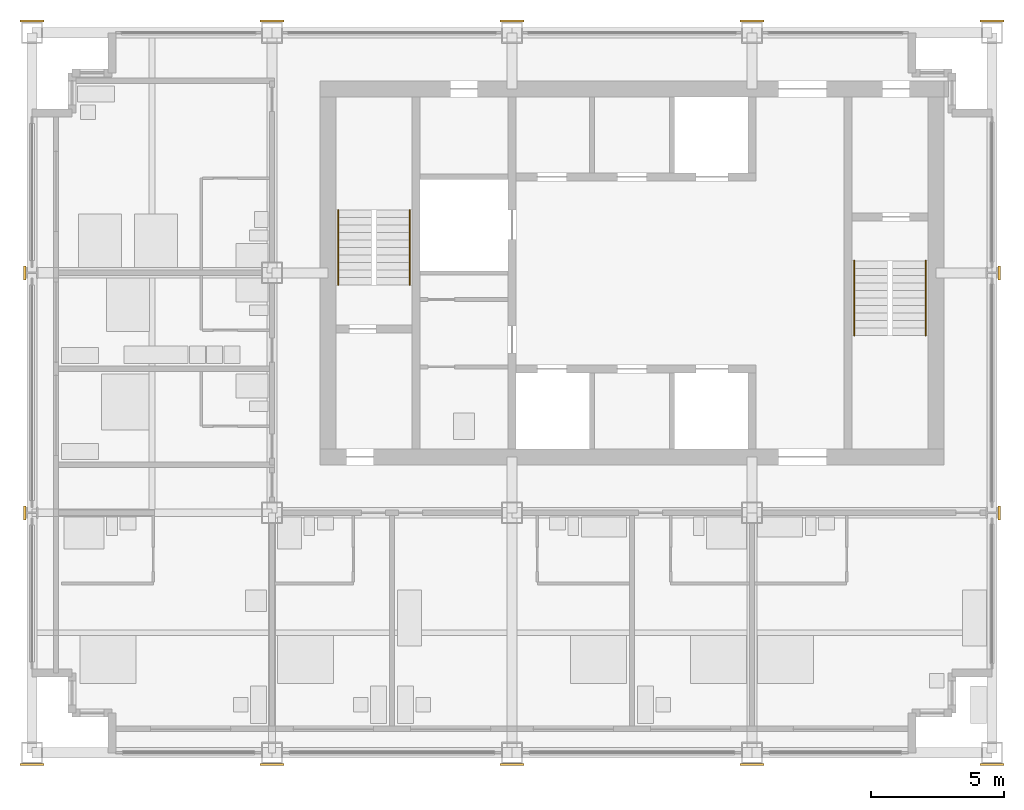
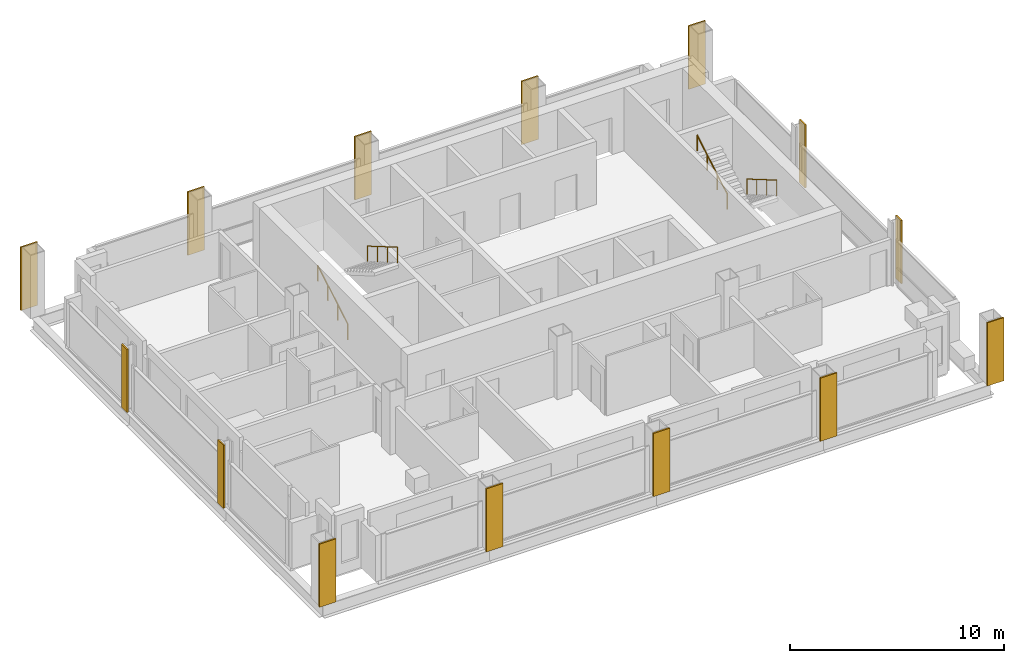
# One storey, part 10 of 12: 14 coverings, 4 railings.
"""IFC4 building model written with IfcOpenShell, lengths in metres."""

from ifc_helpers import new_model, si_unit, direction, frame, origin, origin_2d, place, context, subcontext, project, spatial, rectangle, circle, extrude, material, layer, layer_set, type_object, element, save


model = new_model("IFC4")

# Units and contexts
model_context = context("Model", 3, precision=1e-05, world=origin(), true_north=direction((0.0, 1.0)))
body_context = subcontext(model_context, "Body", "Model", "MODEL_VIEW")
ifc_project = project(units=[si_unit("LENGTHUNIT", "METRE"), si_unit("AREAUNIT", "SQUARE_METRE"), si_unit("VOLUMEUNIT", "CUBIC_METRE"), si_unit("PLANEANGLEUNIT", "RADIAN"), si_unit("MASSUNIT", "GRAM", prefix="KILO")], contexts=[model_context])

# Site, building, storey
site_placement = place(None, origin())
site = spatial("IfcSite", under=ifc_project, at=site_placement, CompositionType="ELEMENT")
building_placement = place(site_placement, origin())
building = spatial("IfcBuilding", under=site, at=building_placement, Name="Loomwork Tower", CompositionType="ELEMENT")
storey_placement = place(building_placement, frame((0.0, 0.0, 233.800048828125)))
storey = spatial("IfcBuildingStorey", under=building, at=storey_placement, Name="L64", CompositionType="ELEMENT", Elevation=233.800048828125)

# Railings
ifc_material_1 = material(Name="Stainless steel handrail", Category="steel")
railing_type = type_object("IfcRailingType", Name="Handrail 900", PredefinedType="HANDRAIL", material=ifc_material_1)
railing_1_placement = place(storey_placement, frame((11.485107421875, 17.550048828125, 0.16357421875)))
element("IfcRailing", 1, at=railing_1_placement, inside=storey, type_object=railing_type, Name="Stair A handrail flight 1 L64", PredefinedType="HANDRAIL", context=body_context, shape_type="SweptSolid", body=[
    extrude(circle(Radius=0.02392578125, at=origin_2d()), frame((0.0, 0.0, 0.8759765625), z_axis=(0.0, 0.863360870873, 0.504586966384), x_axis=(-1.0, 0.0, 0.0)), (0.0, 0.0, 1.0), 3.2431640625),
    extrude(circle(Radius=0.02099609375, at=origin_2d()), origin(), (0.0, 0.0, 1.0), 0.851806640625),
    extrude(circle(Radius=0.02099609375, at=origin_2d()), frame((0.0, 0.933349609375, 0.54541015625)), (0.0, 0.0, 1.0), 0.851806640625),
    extrude(circle(Radius=0.02099609375, at=origin_2d()), frame((0.0, 1.86669921875, 1.091064453125)), (0.0, 0.0, 1.0), 0.851806640625),
    extrude(circle(Radius=0.02099609375, at=origin_2d()), frame((0.0, 2.800048828125, 1.636474609375)), (0.0, 0.0, 1.0), 0.851806640625),
])
railing_2_placement = place(storey_placement, frame((14.1650390625, 20.35009765625, 1.963623046875)))
element("IfcRailing", 2, at=railing_2_placement, inside=storey, type_object=railing_type, Name="Stair A handrail flight 2 L64", PredefinedType="HANDRAIL", context=body_context, shape_type="SweptSolid", body=[
    extrude(circle(Radius=0.02392578125, at=origin_2d()), frame((0.0, 0.0, 0.8759765625), z_axis=(0.0, -0.863393664356, 0.504530851732), x_axis=(1.0, 0.0, 0.0)), (0.0, 0.0, 1.0), 3.2431640625),
    extrude(circle(Radius=0.02099609375, at=origin_2d()), origin(), (0.0, 0.0, 1.0), 0.851806640625),
    extrude(circle(Radius=0.02099609375, at=origin_2d()), frame((0.0, -0.933349609375, 0.54541015625)), (0.0, 0.0, 1.0), 0.851806640625),
    extrude(circle(Radius=0.02099609375, at=origin_2d()), frame((0.0, -1.86669921875, 1.0908203125)), (0.0, 0.0, 1.0), 0.851806640625),
    extrude(circle(Radius=0.02099609375, at=origin_2d()), frame((0.0, -2.800048828125, 1.63623046875)), (0.0, 0.0, 1.0), 0.851806640625),
])
railing_3_placement = place(storey_placement, frame((33.514892578125, 18.449951171875, 0.16357421875)))
element("IfcRailing", 3, at=railing_3_placement, inside=storey, type_object=railing_type, Name="Stair B handrail flight 1 L64", PredefinedType="HANDRAIL", context=body_context, shape_type="SweptSolid", body=[
    extrude(circle(Radius=0.02392578125, at=origin_2d()), frame((0.0, 0.0, 0.8759765625), z_axis=(0.0, -0.863360870873, 0.504586966384), x_axis=(1.0, 0.0, 0.0)), (0.0, 0.0, 1.0), 3.2431640625),
    extrude(circle(Radius=0.02099609375, at=origin_2d()), origin(), (0.0, 0.0, 1.0), 0.851806640625),
    extrude(circle(Radius=0.02099609375, at=origin_2d()), frame((0.0, -0.933349609375, 0.54541015625)), (0.0, 0.0, 1.0), 0.851806640625),
    extrude(circle(Radius=0.02099609375, at=origin_2d()), frame((0.0, -1.86669921875, 1.091064453125)), (0.0, 0.0, 1.0), 0.851806640625),
    extrude(circle(Radius=0.02099609375, at=origin_2d()), frame((0.0, -2.800048828125, 1.636474609375)), (0.0, 0.0, 1.0), 0.851806640625),
])
railing_4_placement = place(storey_placement, frame((30.8349609375, 15.64990234375, 1.963623046875)))
element("IfcRailing", 4, at=railing_4_placement, inside=storey, type_object=railing_type, Name="Stair B handrail flight 2 L64", PredefinedType="HANDRAIL", context=body_context, shape_type="SweptSolid", body=[
    extrude(circle(Radius=0.02392578125, at=origin_2d()), frame((0.0, 0.0, 0.8759765625), z_axis=(0.0, 0.863393664356, 0.504530851732), x_axis=(-1.0, 0.0, 0.0)), (0.0, 0.0, 1.0), 3.2431640625),
    extrude(circle(Radius=0.02099609375, at=origin_2d()), origin(), (0.0, 0.0, 1.0), 0.851806640625),
    extrude(circle(Radius=0.02099609375, at=origin_2d()), frame((0.0, 0.933349609375, 0.54541015625)), (0.0, 0.0, 1.0), 0.851806640625),
    extrude(circle(Radius=0.02099609375, at=origin_2d()), frame((0.0, 1.86669921875, 1.0908203125)), (0.0, 0.0, 1.0), 0.851806640625),
    extrude(circle(Radius=0.02099609375, at=origin_2d()), frame((0.0, 2.800048828125, 1.63623046875)), (0.0, 0.0, 1.0), 0.851806640625),
])

# Coverings
ifc_material_2 = material(Name="Limestone", Category="masonry")
ifc_layer = layer(ifc_material_2, 0.080078125)
ifc_layer_set = layer_set([ifc_layer], Name="Limestone pier facing 80")
covering_type = type_object("IfcCoveringType", Name="Limestone pier facing 80", PredefinedType="CLADDING", material=ifc_layer_set)
covering_1_placement = place(storey_placement, frame((0.0, -0.43994140625, 0.0), z_axis=(0.0, 0.0, 1.0), x_axis=(1.0, 0.0, 0.0)))
element("IfcCovering", 5, at=covering_1_placement, inside=storey, type_object=covering_type, Name="Pier facing D/2 L64", PredefinedType="CLADDING", context=body_context, shape_type="SweptSolid", body=[
    extrude(rectangle(XDim=0.89990234375, YDim=0.080078125, at=origin_2d()), origin(), (0.0, 0.0, 1.0), 3.60009765625),
])
for number, where, z_axis, x_axis, name in (
    (6, (-0.2724609375, 9.0, 0.0), (0.0, 0.0, 1.0), (1.0, 0.0, 0.0), "Pier facing E/2 L64"),
    (7, (-0.2724609375, 18.0, 0.0), (0.0, 0.0, 1.0), (1.0, 0.0, 0.0), "Pier facing F/2 L64"),
):
    element("IfcCovering", number, at=place(storey_placement, frame(where, z_axis=z_axis, x_axis=x_axis)), inside=storey, type_object=covering_type, Name=name, PredefinedType="CLADDING", context=body_context, shape_type="SweptSolid", body=[
        extrude(rectangle(XDim=0.080078125, YDim=0.521484375, at=origin_2d()), origin(), (0.0, 0.0, 1.0), 3.60009765625),
    ])
for number, where, z_axis, x_axis, name in (
    (8, (0.0, 27.43994140625, 0.0), (0.0, 0.0, 1.0), (1.0, 0.0, 0.0), "Pier facing G/2 L64"),
    (9, (9.0, -0.43994140625, 0.0), (0.0, 0.0, 1.0), (1.0, 0.0, 0.0), "Pier facing D/3 L64"),
    (10, (9.0, 27.43994140625, 0.0), (0.0, 0.0, 1.0), (1.0, 0.0, 0.0), "Pier facing G/3 L64"),
    (11, (18.0, -0.43994140625, 0.0), (0.0, 0.0, 1.0), (1.0, 0.0, 0.0), "Pier facing D/4 L64"),
    (12, (18.0, 27.43994140625, 0.0), (0.0, 0.0, 1.0), (1.0, 0.0, 0.0), "Pier facing G/4 L64"),
    (13, (27.0, -0.43994140625, 0.0), (0.0, 0.0, 1.0), (1.0, 0.0, 0.0), "Pier facing D/5 L64"),
    (14, (27.0, 27.43994140625, 0.0), (0.0, 0.0, 1.0), (1.0, 0.0, 0.0), "Pier facing G/5 L64"),
    (15, (36.0, -0.43994140625, 0.0), (0.0, 0.0, 1.0), (1.0, 0.0, 0.0), "Pier facing D/6 L64"),
):
    element("IfcCovering", number, at=place(storey_placement, frame(where, z_axis=z_axis, x_axis=x_axis)), inside=storey, type_object=covering_type, Name=name, PredefinedType="CLADDING", context=body_context, shape_type="SweptSolid", body=[
        extrude(rectangle(XDim=0.89990234375, YDim=0.080078125, at=origin_2d()), origin(), (0.0, 0.0, 1.0), 3.60009765625),
    ])
for number, where, z_axis, x_axis, name in (
    (16, (36.2724609375, 9.0, 0.0), (0.0, 0.0, 1.0), (1.0, 0.0, 0.0), "Pier facing E/6 L64"),
    (17, (36.2724609375, 18.0, 0.0), (0.0, 0.0, 1.0), (1.0, 0.0, 0.0), "Pier facing F/6 L64"),
):
    element("IfcCovering", number, at=place(storey_placement, frame(where, z_axis=z_axis, x_axis=x_axis)), inside=storey, type_object=covering_type, Name=name, PredefinedType="CLADDING", context=body_context, shape_type="SweptSolid", body=[
        extrude(rectangle(XDim=0.080078125, YDim=0.521484375, at=origin_2d()), origin(), (0.0, 0.0, 1.0), 3.60009765625),
    ])
covering_2_placement = place(storey_placement, frame((36.0, 27.43994140625, 0.0), z_axis=(0.0, 0.0, 1.0), x_axis=(1.0, 0.0, 0.0)))
element("IfcCovering", 18, at=covering_2_placement, inside=storey, type_object=covering_type, Name="Pier facing G/6 L64", PredefinedType="CLADDING", context=body_context, shape_type="SweptSolid", body=[
    extrude(rectangle(XDim=0.89990234375, YDim=0.080078125, at=origin_2d()), origin(), (0.0, 0.0, 1.0), 3.60009765625),
])

save(model, "model.ifc")
